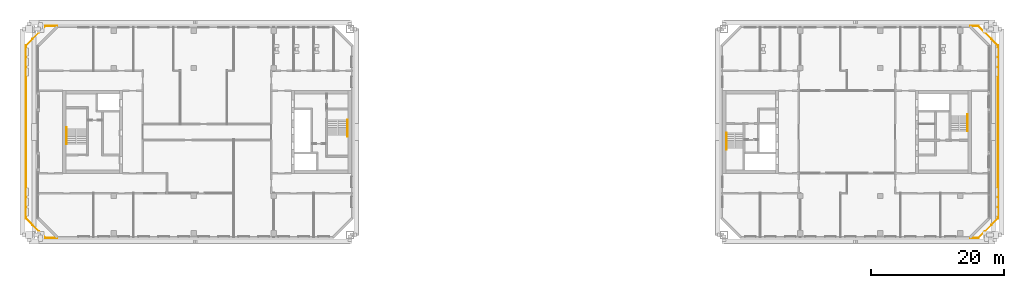
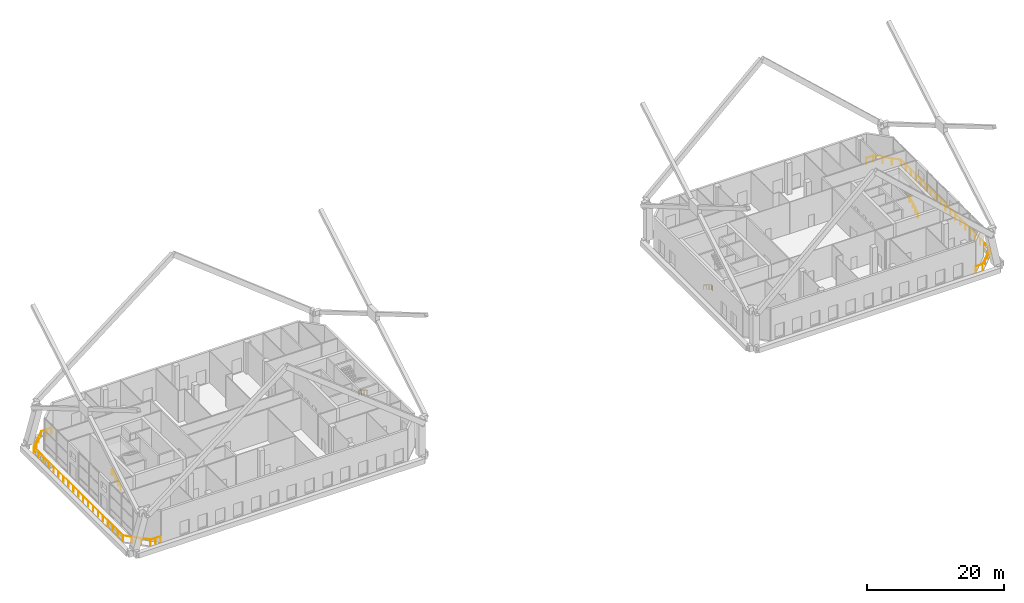
# One storey, part 19 of 20: 6 railings.
"""IFC4 building model written with IfcOpenShell, lengths in metres."""

from ifc_helpers import new_model, si_unit, direction, frame, origin, origin_2d, place, context, subcontext, project, spatial, circle, extrude, material, type_object, element, save


model = new_model("IFC4")

# Units and contexts
model_context = context("Model", 3, precision=1e-05, world=origin(), true_north=direction((0.0, 1.0)))
body_context = subcontext(model_context, "Body", "Model", "MODEL_VIEW")
ifc_project = project(units=[si_unit("LENGTHUNIT", "METRE"), si_unit("AREAUNIT", "SQUARE_METRE"), si_unit("VOLUMEUNIT", "CUBIC_METRE"), si_unit("PLANEANGLEUNIT", "RADIAN"), si_unit("MASSUNIT", "GRAM", prefix="KILO")], contexts=[model_context])

# Site, building, storey
site_placement = place(None, origin())
site = spatial("IfcSite", under=ifc_project, at=site_placement, CompositionType="ELEMENT")
building_placement = place(site_placement, origin())
building = spatial("IfcBuilding", under=site, at=building_placement, Name="Tuart Gate Housing", CompositionType="ELEMENT")
storey_placement = place(building_placement, frame((0.0, 0.0, 142.300048828125)))
storey = spatial("IfcBuildingStorey", under=building, at=storey_placement, Name="L40", CompositionType="ELEMENT", Elevation=142.300048828125)

# Railings
ifc_material_1 = material(Name="Stainless steel", Category="steel")
railing_type_1 = type_object("IfcRailingType", Name="Stair handrail 900", PredefinedType="HANDRAIL", material=ifc_material_1)
railing_1_placement = place(storey_placement, frame((75.080078125, 71.824951171875, 0.172119140625)))
element("IfcRailing", 1, at=railing_1_placement, inside=storey, type_object=railing_type_1, Name="Stair handrail SA1.1", PredefinedType="HANDRAIL", context=body_context, shape_type="SweptSolid", body=[
    extrude(circle(Radius=0.02392578125, at=origin_2d()), frame((0.0, 0.0, 0.8759765625), z_axis=(0.0, -0.851747552033, 0.523952390591), x_axis=(1.0, 0.0, 0.0)), (0.0, 0.0, 1.0), 2.6298828125),
    extrude(circle(Radius=0.02392578125, at=origin_2d()), frame((0.0, -2.239990234375, 2.25390625), z_axis=(0.0, -1.0, 0.0), x_axis=(1.0, 0.0, 0.0)), (0.0, 0.0, 1.0), 0.300048828125),
    extrude(circle(Radius=0.02099609375, at=origin_2d()), origin(), (0.0, 0.0, 1.0), 0.851806640625),
    extrude(circle(Radius=0.02099609375, at=origin_2d()), frame((0.0, -0.74658203125, 0.459228515625)), (0.0, 0.0, 1.0), 0.851806640625),
    extrude(circle(Radius=0.02099609375, at=origin_2d()), frame((0.0, -1.493408203125, 0.918701171875)), (0.0, 0.0, 1.0), 0.851806640625),
    extrude(circle(Radius=0.02099609375, at=origin_2d()), frame((0.0, -2.239990234375, 1.3779296875)), (0.0, 0.0, 1.0), 0.851806640625),
    extrude(circle(Radius=0.02099609375, at=origin_2d()), frame((0.0, -2.5400390625, 1.3779296875)), (0.0, 0.0, 1.0), 0.851806640625),
])
railing_2_placement = place(storey_placement, frame((32.919921875, 68.175048828125, 0.172119140625)))
element("IfcRailing", 2, at=railing_2_placement, inside=storey, type_object=railing_type_1, Name="Stair handrail SA2.1", PredefinedType="HANDRAIL", context=body_context, shape_type="SweptSolid", body=[
    extrude(circle(Radius=0.02392578125, at=origin_2d()), frame((0.0, 0.0, 0.8759765625), z_axis=(0.0, 0.851747552033, 0.523952390591), x_axis=(-1.0, 0.0, 0.0)), (0.0, 0.0, 1.0), 2.6298828125),
    extrude(circle(Radius=0.02392578125, at=origin_2d()), frame((0.0, 2.239990234375, 2.25390625), z_axis=(0.0, 1.0, 0.0), x_axis=(-1.0, 0.0, 0.0)), (0.0, 0.0, 1.0), 0.300048828125),
    extrude(circle(Radius=0.02099609375, at=origin_2d()), origin(), (0.0, 0.0, 1.0), 0.851806640625),
    extrude(circle(Radius=0.02099609375, at=origin_2d()), frame((0.0, 0.74658203125, 0.459228515625)), (0.0, 0.0, 1.0), 0.851806640625),
    extrude(circle(Radius=0.02099609375, at=origin_2d()), frame((0.0, 1.493408203125, 0.918701171875)), (0.0, 0.0, 1.0), 0.851806640625),
    extrude(circle(Radius=0.02099609375, at=origin_2d()), frame((0.0, 2.239990234375, 1.3779296875)), (0.0, 0.0, 1.0), 0.851806640625),
    extrude(circle(Radius=0.02099609375, at=origin_2d()), frame((0.0, 2.5400390625, 1.3779296875)), (0.0, 0.0, 1.0), 0.851806640625),
])
railing_3_placement = place(storey_placement, frame((131.919921875, 69.875, 0.172119140625)))
element("IfcRailing", 3, at=railing_3_placement, inside=storey, type_object=railing_type_1, Name="Stair handrail SB1.1", PredefinedType="HANDRAIL", context=body_context, shape_type="SweptSolid", body=[
    extrude(circle(Radius=0.02392578125, at=origin_2d()), frame((0.0, 0.0, 0.8759765625), z_axis=(0.0, -0.851747552033, 0.523952390591), x_axis=(1.0, 0.0, 0.0)), (0.0, 0.0, 1.0), 2.6298828125),
    extrude(circle(Radius=0.02392578125, at=origin_2d()), frame((0.0, -2.239990234375, 2.25390625), z_axis=(0.0, -1.0, 0.0), x_axis=(1.0, 0.0, 0.0)), (0.0, 0.0, 1.0), 0.300048828125),
    extrude(circle(Radius=0.02099609375, at=origin_2d()), origin(), (0.0, 0.0, 1.0), 0.851806640625),
    extrude(circle(Radius=0.02099609375, at=origin_2d()), frame((0.0, -0.74658203125, 0.459228515625)), (0.0, 0.0, 1.0), 0.851806640625),
    extrude(circle(Radius=0.02099609375, at=origin_2d()), frame((0.0, -1.493408203125, 0.918701171875)), (0.0, 0.0, 1.0), 0.851806640625),
    extrude(circle(Radius=0.02099609375, at=origin_2d()), frame((0.0, -2.239990234375, 1.3779296875)), (0.0, 0.0, 1.0), 0.851806640625),
    extrude(circle(Radius=0.02099609375, at=origin_2d()), frame((0.0, -2.5400390625, 1.3779296875)), (0.0, 0.0, 1.0), 0.851806640625),
])
railing_4_placement = place(storey_placement, frame((168.080078125, 70.125, 0.172119140625)))
element("IfcRailing", 4, at=railing_4_placement, inside=storey, type_object=railing_type_1, Name="Stair handrail SB2.1", PredefinedType="HANDRAIL", context=body_context, shape_type="SweptSolid", body=[
    extrude(circle(Radius=0.02392578125, at=origin_2d()), frame((0.0, 0.0, 0.8759765625), z_axis=(0.0, 0.851747552033, 0.523952390591), x_axis=(-1.0, 0.0, 0.0)), (0.0, 0.0, 1.0), 2.6298828125),
    extrude(circle(Radius=0.02392578125, at=origin_2d()), frame((0.0, 2.239990234375, 2.25390625), z_axis=(0.0, 1.0, 0.0), x_axis=(-1.0, 0.0, 0.0)), (0.0, 0.0, 1.0), 0.300048828125),
    extrude(circle(Radius=0.02099609375, at=origin_2d()), origin(), (0.0, 0.0, 1.0), 0.851806640625),
    extrude(circle(Radius=0.02099609375, at=origin_2d()), frame((0.0, 0.74658203125, 0.459228515625)), (0.0, 0.0, 1.0), 0.851806640625),
    extrude(circle(Radius=0.02099609375, at=origin_2d()), frame((0.0, 1.493408203125, 0.918701171875)), (0.0, 0.0, 1.0), 0.851806640625),
    extrude(circle(Radius=0.02099609375, at=origin_2d()), frame((0.0, 2.239990234375, 1.3779296875)), (0.0, 0.0, 1.0), 0.851806640625),
    extrude(circle(Radius=0.02099609375, at=origin_2d()), frame((0.0, 2.5400390625, 1.3779296875)), (0.0, 0.0, 1.0), 0.851806640625),
])
ifc_material_2 = material(Name="Steel and laminated glass", Category="steel")
railing_type_2 = type_object("IfcRailingType", Name="Terrace guard 1100", PredefinedType="GUARDRAIL", material=ifc_material_2)
railing_5_placement = place(storey_placement, frame((31.5, 85.89990234375, 0.0)))
element("IfcRailing", 5, at=railing_5_placement, inside=storey, type_object=railing_type_2, Name="Terrace guard A", PredefinedType="GUARDRAIL", context=body_context, shape_type="SweptSolid", body=[
    extrude(circle(Radius=0.02392578125, at=origin_2d()), frame((0.0, 0.0, 1.076171875), z_axis=(-1.0, 0.0, 0.0), x_axis=(0.0, -1.0, 0.0)), (0.0, 0.0, 1.0), 1.70849609375),
    extrude(circle(Radius=0.02392578125, at=origin_2d()), frame((-1.70849609375, 0.0, 1.076171875), z_axis=(-0.707106781187, -0.707106781187, 0.0), x_axis=(0.707106781187, -0.707106781187, 0.0)), (0.0, 0.0, 1.0), 4.15966796875),
    extrude(circle(Radius=0.02392578125, at=origin_2d()), frame((-4.64990234375, -2.94140625, 1.076171875), z_axis=(0.0, -1.0, 0.0), x_axis=(1.0, 0.0, 0.0)), (0.0, 0.0, 1.0), 25.9169921875),
    extrude(circle(Radius=0.02392578125, at=origin_2d()), frame((-4.64990234375, -28.8583984375, 1.076171875), z_axis=(0.707106781187, -0.707106781187, 0.0), x_axis=(0.707106781187, 0.707106781187, 0.0)), (0.0, 0.0, 1.0), 4.15966796875),
    extrude(circle(Radius=0.02392578125, at=origin_2d()), frame((-1.70849609375, -31.7998046875, 1.076171875), z_axis=(1.0, 0.0, 0.0), x_axis=(0.0, 1.0, 0.0)), (0.0, 0.0, 1.0), 1.70849609375),
    extrude(circle(Radius=0.02099609375, at=origin_2d()), origin(), (0.0, 0.0, 1.0), 1.052001953125),
    extrude(circle(Radius=0.02099609375, at=origin_2d()), frame((-0.854248046875, 0.0, 0.0)), (0.0, 0.0, 1.0), 1.052001953125),
    extrude(circle(Radius=0.02099609375, at=origin_2d()), frame((-1.70849609375, 0.0, 0.0)), (0.0, 0.0, 1.0), 1.052001953125),
    extrude(circle(Radius=0.02099609375, at=origin_2d()), frame((-2.68896484375, -0.98046875, 0.0)), (0.0, 0.0, 1.0), 1.052001953125),
    extrude(circle(Radius=0.02099609375, at=origin_2d()), frame((-3.66943359375, -1.9609375, 0.0)), (0.0, 0.0, 1.0), 1.052001953125),
    extrude(circle(Radius=0.02099609375, at=origin_2d()), frame((-4.64990234375, -2.94140625, 0.0)), (0.0, 0.0, 1.0), 1.052001953125),
    extrude(circle(Radius=0.02099609375, at=origin_2d()), frame((-4.64990234375, -4.38134765625, 0.0)), (0.0, 0.0, 1.0), 1.052001953125),
    extrude(circle(Radius=0.02099609375, at=origin_2d()), frame((-4.64990234375, -5.821044921875, 0.0)), (0.0, 0.0, 1.0), 1.052001953125),
    extrude(circle(Radius=0.02099609375, at=origin_2d()), frame((-4.64990234375, -7.260986328125, 0.0)), (0.0, 0.0, 1.0), 1.052001953125),
    extrude(circle(Radius=0.02099609375, at=origin_2d()), frame((-4.64990234375, -8.70068359375, 0.0)), (0.0, 0.0, 1.0), 1.052001953125),
    extrude(circle(Radius=0.02099609375, at=origin_2d()), frame((-4.64990234375, -10.140625, 0.0)), (0.0, 0.0, 1.0), 1.052001953125),
    extrude(circle(Radius=0.02099609375, at=origin_2d()), frame((-4.64990234375, -11.580322265625, 0.0)), (0.0, 0.0, 1.0), 1.052001953125),
    extrude(circle(Radius=0.02099609375, at=origin_2d()), frame((-4.64990234375, -13.020263671875, 0.0)), (0.0, 0.0, 1.0), 1.052001953125),
    extrude(circle(Radius=0.02099609375, at=origin_2d()), frame((-4.64990234375, -14.4599609375, 0.0)), (0.0, 0.0, 1.0), 1.052001953125),
    extrude(circle(Radius=0.02099609375, at=origin_2d()), frame((-4.64990234375, -15.89990234375, 0.0)), (0.0, 0.0, 1.0), 1.052001953125),
    extrude(circle(Radius=0.02099609375, at=origin_2d()), frame((-4.64990234375, -17.33984375, 0.0)), (0.0, 0.0, 1.0), 1.052001953125),
    extrude(circle(Radius=0.02099609375, at=origin_2d()), frame((-4.64990234375, -18.779541015625, 0.0)), (0.0, 0.0, 1.0), 1.052001953125),
    extrude(circle(Radius=0.02099609375, at=origin_2d()), frame((-4.64990234375, -20.219482421875, 0.0)), (0.0, 0.0, 1.0), 1.052001953125),
    extrude(circle(Radius=0.02099609375, at=origin_2d()), frame((-4.64990234375, -21.6591796875, 0.0)), (0.0, 0.0, 1.0), 1.052001953125),
    extrude(circle(Radius=0.02099609375, at=origin_2d()), frame((-4.64990234375, -23.09912109375, 0.0)), (0.0, 0.0, 1.0), 1.052001953125),
    extrude(circle(Radius=0.02099609375, at=origin_2d()), frame((-4.64990234375, -24.538818359375, 0.0)), (0.0, 0.0, 1.0), 1.052001953125),
    extrude(circle(Radius=0.02099609375, at=origin_2d()), frame((-4.64990234375, -25.978759765625, 0.0)), (0.0, 0.0, 1.0), 1.052001953125),
    extrude(circle(Radius=0.02099609375, at=origin_2d()), frame((-4.64990234375, -27.41845703125, 0.0)), (0.0, 0.0, 1.0), 1.052001953125),
    extrude(circle(Radius=0.02099609375, at=origin_2d()), frame((-4.64990234375, -28.8583984375, 0.0)), (0.0, 0.0, 1.0), 1.052001953125),
    extrude(circle(Radius=0.02099609375, at=origin_2d()), frame((-3.66943359375, -29.8388671875, 0.0)), (0.0, 0.0, 1.0), 1.052001953125),
    extrude(circle(Radius=0.02099609375, at=origin_2d()), frame((-2.68896484375, -30.8193359375, 0.0)), (0.0, 0.0, 1.0), 1.052001953125),
    extrude(circle(Radius=0.02099609375, at=origin_2d()), frame((-1.70849609375, -31.7998046875, 0.0)), (0.0, 0.0, 1.0), 1.052001953125),
    extrude(circle(Radius=0.02099609375, at=origin_2d()), frame((-0.854248046875, -31.7998046875, 0.0)), (0.0, 0.0, 1.0), 1.052001953125),
    extrude(circle(Radius=0.02099609375, at=origin_2d()), frame((0.0, -31.7998046875, 0.0)), (0.0, 0.0, 1.0), 1.052001953125),
])
railing_6_placement = place(storey_placement, frame((168.5, 54.10009765625, 0.0)))
element("IfcRailing", 6, at=railing_6_placement, inside=storey, type_object=railing_type_2, Name="Terrace guard B", PredefinedType="GUARDRAIL", context=body_context, shape_type="SweptSolid", body=[
    extrude(circle(Radius=0.02392578125, at=origin_2d()), frame((0.0, 0.0, 1.076171875), z_axis=(1.0, 0.0, 0.0), x_axis=(0.0, 1.0, 0.0)), (0.0, 0.0, 1.0), 1.20849609375),
    extrude(circle(Radius=0.02392578125, at=origin_2d()), frame((1.20849609375, 0.0, 1.076171875), z_axis=(0.707106781187, 0.707106781187, 0.0), x_axis=(-0.707106781187, 0.707106781187, 0.0)), (0.0, 0.0, 1.0), 4.15966796875),
    extrude(circle(Radius=0.02392578125, at=origin_2d()), frame((4.14990234375, 2.94140625, 1.076171875), z_axis=(0.0, 1.0, 0.0), x_axis=(-1.0, 0.0, 0.0)), (0.0, 0.0, 1.0), 25.9169921875),
    extrude(circle(Radius=0.02392578125, at=origin_2d()), frame((4.14990234375, 28.8583984375, 1.076171875), z_axis=(-0.707106781187, 0.707106781187, 0.0), x_axis=(-0.707106781187, -0.707106781187, 0.0)), (0.0, 0.0, 1.0), 4.15966796875),
    extrude(circle(Radius=0.02392578125, at=origin_2d()), frame((1.20849609375, 31.7998046875, 1.076171875), z_axis=(-1.0, 0.0, 0.0), x_axis=(0.0, -1.0, 0.0)), (0.0, 0.0, 1.0), 1.20849609375),
    extrude(circle(Radius=0.02099609375, at=origin_2d()), origin(), (0.0, 0.0, 1.0), 1.052001953125),
    extrude(circle(Radius=0.02099609375, at=origin_2d()), frame((1.20849609375, 0.0, 0.0)), (0.0, 0.0, 1.0), 1.052001953125),
    extrude(circle(Radius=0.02099609375, at=origin_2d()), frame((2.18896484375, 0.98046875, 0.0)), (0.0, 0.0, 1.0), 1.052001953125),
    extrude(circle(Radius=0.02099609375, at=origin_2d()), frame((3.16943359375, 1.9609375, 0.0)), (0.0, 0.0, 1.0), 1.052001953125),
    extrude(circle(Radius=0.02099609375, at=origin_2d()), frame((4.14990234375, 2.94140625, 0.0)), (0.0, 0.0, 1.0), 1.052001953125),
    extrude(circle(Radius=0.02099609375, at=origin_2d()), frame((4.14990234375, 4.38134765625, 0.0)), (0.0, 0.0, 1.0), 1.052001953125),
    extrude(circle(Radius=0.02099609375, at=origin_2d()), frame((4.14990234375, 5.821044921875, 0.0)), (0.0, 0.0, 1.0), 1.052001953125),
    extrude(circle(Radius=0.02099609375, at=origin_2d()), frame((4.14990234375, 7.260986328125, 0.0)), (0.0, 0.0, 1.0), 1.052001953125),
    extrude(circle(Radius=0.02099609375, at=origin_2d()), frame((4.14990234375, 8.70068359375, 0.0)), (0.0, 0.0, 1.0), 1.052001953125),
    extrude(circle(Radius=0.02099609375, at=origin_2d()), frame((4.14990234375, 10.140625, 0.0)), (0.0, 0.0, 1.0), 1.052001953125),
    extrude(circle(Radius=0.02099609375, at=origin_2d()), frame((4.14990234375, 11.580322265625, 0.0)), (0.0, 0.0, 1.0), 1.052001953125),
    extrude(circle(Radius=0.02099609375, at=origin_2d()), frame((4.14990234375, 13.020263671875, 0.0)), (0.0, 0.0, 1.0), 1.052001953125),
    extrude(circle(Radius=0.02099609375, at=origin_2d()), frame((4.14990234375, 14.4599609375, 0.0)), (0.0, 0.0, 1.0), 1.052001953125),
    extrude(circle(Radius=0.02099609375, at=origin_2d()), frame((4.14990234375, 15.89990234375, 0.0)), (0.0, 0.0, 1.0), 1.052001953125),
    extrude(circle(Radius=0.02099609375, at=origin_2d()), frame((4.14990234375, 17.33984375, 0.0)), (0.0, 0.0, 1.0), 1.052001953125),
    extrude(circle(Radius=0.02099609375, at=origin_2d()), frame((4.14990234375, 18.779541015625, 0.0)), (0.0, 0.0, 1.0), 1.052001953125),
    extrude(circle(Radius=0.02099609375, at=origin_2d()), frame((4.14990234375, 20.219482421875, 0.0)), (0.0, 0.0, 1.0), 1.052001953125),
    extrude(circle(Radius=0.02099609375, at=origin_2d()), frame((4.14990234375, 21.6591796875, 0.0)), (0.0, 0.0, 1.0), 1.052001953125),
    extrude(circle(Radius=0.02099609375, at=origin_2d()), frame((4.14990234375, 23.09912109375, 0.0)), (0.0, 0.0, 1.0), 1.052001953125),
    extrude(circle(Radius=0.02099609375, at=origin_2d()), frame((4.14990234375, 24.538818359375, 0.0)), (0.0, 0.0, 1.0), 1.052001953125),
    extrude(circle(Radius=0.02099609375, at=origin_2d()), frame((4.14990234375, 25.978759765625, 0.0)), (0.0, 0.0, 1.0), 1.052001953125),
    extrude(circle(Radius=0.02099609375, at=origin_2d()), frame((4.14990234375, 27.41845703125, 0.0)), (0.0, 0.0, 1.0), 1.052001953125),
    extrude(circle(Radius=0.02099609375, at=origin_2d()), frame((4.14990234375, 28.8583984375, 0.0)), (0.0, 0.0, 1.0), 1.052001953125),
    extrude(circle(Radius=0.02099609375, at=origin_2d()), frame((3.16943359375, 29.8388671875, 0.0)), (0.0, 0.0, 1.0), 1.052001953125),
    extrude(circle(Radius=0.02099609375, at=origin_2d()), frame((2.18896484375, 30.8193359375, 0.0)), (0.0, 0.0, 1.0), 1.052001953125),
    extrude(circle(Radius=0.02099609375, at=origin_2d()), frame((1.20849609375, 31.7998046875, 0.0)), (0.0, 0.0, 1.0), 1.052001953125),
    extrude(circle(Radius=0.02099609375, at=origin_2d()), frame((0.0, 31.7998046875, 0.0)), (0.0, 0.0, 1.0), 1.052001953125),
])

save(model, "model.ifc")
